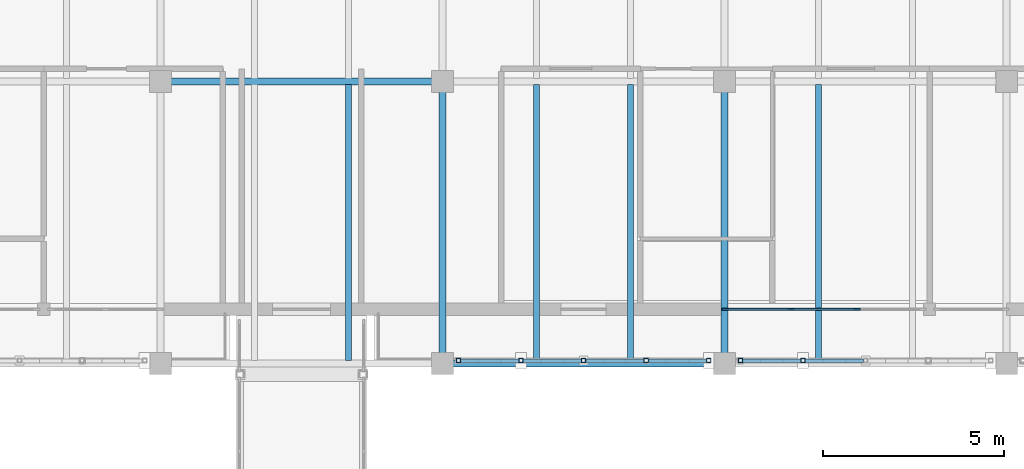
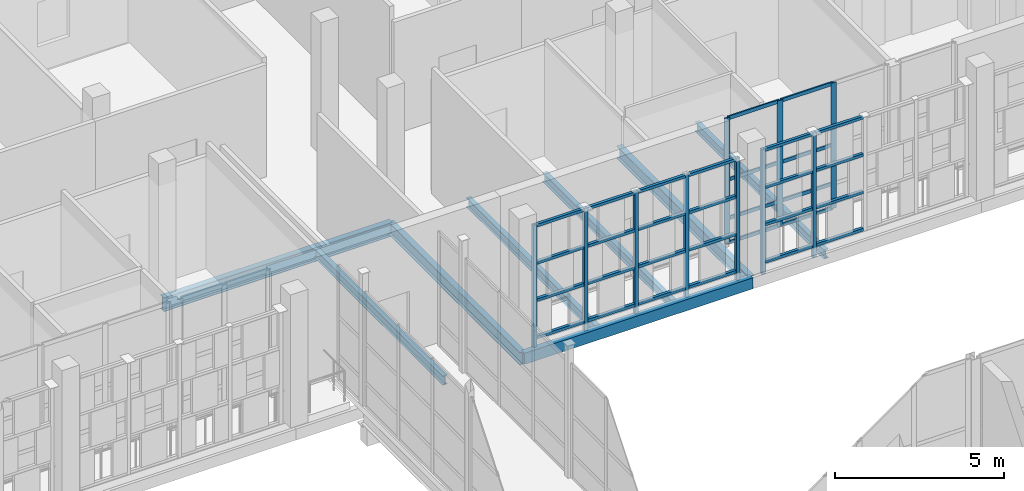
# One storey, part 73 of 138: 42 members, 8 beams, 1 element without a shape of its own.
"""IFC4 building model written with IfcOpenShell, lengths in metres."""

from ifc_helpers import new_model, si_unit, direction, frame, origin, origin_2d, place, context, subcontext, project, spatial, rectangle, hollow_rectangle, i_section, extrude, material, layer, layer_set, material_profile, profile_set, type_object, element, aggregate, save


model = new_model("IFC4")

# Units and contexts
model_context = context("Model", 3, precision=1e-05, world=origin(), true_north=direction((0.0, 1.0)))
body_context = subcontext(model_context, "Body", "Model", "MODEL_VIEW")
ifc_project = project(units=[si_unit("LENGTHUNIT", "METRE"), si_unit("AREAUNIT", "SQUARE_METRE"), si_unit("VOLUMEUNIT", "CUBIC_METRE"), si_unit("PLANEANGLEUNIT", "RADIAN"), si_unit("MASSUNIT", "GRAM", prefix="KILO")], contexts=[model_context])

# Site, building, storey
site_placement = place(None, origin())
site = spatial("IfcSite", under=ifc_project, at=site_placement, CompositionType="ELEMENT")
building_placement = place(site_placement, origin())
building = spatial("IfcBuilding", under=site, at=building_placement, Name="Celorna Specialist Clinic", CompositionType="ELEMENT")
storey_placement = place(building_placement, frame((0.0, 0.0, 4.800048828125)))
storey = spatial("IfcBuildingStorey", under=building, at=storey_placement, Name="L01", CompositionType="ELEMENT", Elevation=4.800048828125)

# Beams
ifc_material_1 = material(Name="Steel S355", Category="steel")
ifc_material_profile_1 = material_profile(ifc_material_1, i_section(OverallWidth=0.199951171875, OverallDepth=0.5, WebThickness=0.01025390625, FlangeThickness=0.01611328125, at=origin_2d()), Name="IPE 500")
ifc_profile_set_1 = profile_set([ifc_material_profile_1], Name="Steel S355")
beam_type_1 = type_object("IfcBeamType", Name="BM-08", PredefinedType="BEAM", material=ifc_profile_set_1)
beam_1_placement = place(storey_placement, frame((140.39990234375, 104.300048828125, -0.510009765625), z_axis=(1.0, 0.0, 0.0), x_axis=(0.0, 1.0, 0.0)))
element("IfcBeam", 1, at=beam_1_placement, inside=storey, type_object=beam_type_1, Name="Primary girder BM-08 #897", PredefinedType="BEAM", context=body_context, shape_type="SweptSolid", body=[
    extrude(i_section(OverallWidth=0.199951171875, OverallDepth=0.5, WebThickness=0.01025390625, FlangeThickness=0.01611328125, at=origin_2d()), origin(), (0.0, 0.0, 1.0), 7.800048828125),
])
ifc_material_profile_2 = material_profile(ifc_material_1, i_section(OverallWidth=0.18994140625, OverallDepth=0.449951171875, WebThickness=0.009521484375, FlangeThickness=0.0146484375, at=origin_2d()), Name="IPE 450")
ifc_profile_set_2 = profile_set([ifc_material_profile_2], Name="Steel S355")
beam_type_2 = type_object("IfcBeamType", Name="BM-09", PredefinedType="BEAM", material=ifc_profile_set_2)
for number, where, z_axis, x_axis, name in (
    (2, (148.199951171875, 96.5, -0.485107421875), (0.0, 1.0, 0.0), (-1.0, 0.0, 0.0), "Transverse girder BM-09 #971"),
    (3, (156.0, 96.5, -0.485107421875), (0.0, 1.0, 0.0), (-1.0, 0.0, 0.0), "Transverse girder BM-09 #974"),
):
    element("IfcBeam", number, at=place(storey_placement, frame(where, z_axis=z_axis, x_axis=x_axis)), inside=storey, type_object=beam_type_2, Name=name, PredefinedType="BEAM", context=body_context, shape_type="SweptSolid", body=[
        extrude(i_section(OverallWidth=0.18994140625, OverallDepth=0.449951171875, WebThickness=0.009521484375, FlangeThickness=0.0146484375, at=origin_2d()), origin(), (0.0, 0.0, 1.0), 7.800048828125),
    ])
ifc_material_profile_3 = material_profile(ifc_material_1, i_section(OverallWidth=0.159912109375, OverallDepth=0.330078125, WebThickness=0.007568359375, FlangeThickness=0.011474609375, at=origin_2d()), Name="IPE 330")
ifc_profile_set_3 = profile_set([ifc_material_profile_3], Name="Steel S355")
beam_type_3 = type_object("IfcBeamType", Name="BM-12", PredefinedType="JOIST", material=ifc_profile_set_3)
for number, where, z_axis, x_axis, name in (
    (4, (145.60009765625, 96.587890625, -0.425048828125), (0.0, 1.0, 0.0), (-1.0, 0.0, 0.0), "Secondary floor joist BM-12 #1046"),
    (5, (150.800048828125, 96.587890625, -0.425048828125), (0.0, 1.0, 0.0), (-1.0, 0.0, 0.0), "Secondary floor joist BM-12 #1051"),
    (6, (153.39990234375, 96.587890625, -0.425048828125), (0.0, 1.0, 0.0), (-1.0, 0.0, 0.0), "Secondary floor joist BM-12 #1052"),
    (7, (158.60009765625, 96.587890625, -0.425048828125), (0.0, 1.0, 0.0), (-1.0, 0.0, 0.0), "Secondary floor joist BM-12 #1057"),
):
    element("IfcBeam", number, at=place(storey_placement, frame(where, z_axis=z_axis, x_axis=x_axis)), inside=storey, type_object=beam_type_3, Name=name, PredefinedType="JOIST", context=body_context, shape_type="SweptSolid", body=[
        extrude(i_section(OverallWidth=0.159912109375, OverallDepth=0.330078125, WebThickness=0.007568359375, FlangeThickness=0.011474609375, at=origin_2d()), origin(), (0.0, 0.0, 1.0), 7.6240234375),
    ])
ifc_material_profile_4 = material_profile(ifc_material_1, hollow_rectangle(XDim=0.199951171875, YDim=0.39990234375, WallThickness=0.011962890625, at=origin_2d()), Name="RHS 200x400x12")
ifc_profile_set_4 = profile_set([ifc_material_profile_4], Name="Steel S355")
beam_type_4 = type_object("IfcBeamType", Name="BM-15", PredefinedType="SPANDREL", material=ifc_profile_set_4)
beam_2_placement = place(storey_placement, frame((148.199951171875, 96.5, -0.4599609375), z_axis=(1.0, 0.0, 0.0), x_axis=(0.0, 1.0, 0.0)))
element("IfcBeam", 8, at=beam_2_placement, inside=storey, type_object=beam_type_4, Name="Spandrel beam BM-15 #882", PredefinedType="SPANDREL", context=body_context, shape_type="SweptSolid", body=[
    extrude(hollow_rectangle(XDim=0.199951171875, YDim=0.39990234375, WallThickness=0.011962890625, at=origin_2d()), origin(), (0.0, 0.0, 1.0), 7.800048828125),
])

# Members
ifc_material_profile_5 = material_profile(ifc_material_1, hollow_rectangle(XDim=0.1201171875, YDim=0.1201171875, WallThickness=0.008056640625, at=origin_2d()), Name="SHS 120x120x8")
ifc_profile_set_5 = profile_set([ifc_material_profile_5], Name="Steel S355")
member_type_1 = type_object("IfcMemberType", Name="MB-11", PredefinedType="STUD", material=ifc_profile_set_5)
for number, where, z_axis, x_axis, name in (
    (9, (148.639892578125, 96.580078125, -0.360107421875), (0.0, 0.0, 1.0), (1.0, 0.0, 0.0), "Perforated screen steel post #942"),
    (10, (150.3701171875, 96.580078125, -0.360107421875), (0.0, 0.0, 1.0), (1.0, 0.0, 0.0), "Perforated screen steel post #943"),
    (11, (152.10009765625, 96.580078125, -0.360107421875), (0.0, 0.0, 1.0), (1.0, 0.0, 0.0), "Perforated screen steel post #944"),
    (12, (153.830078125, 96.580078125, -0.360107421875), (0.0, 0.0, 1.0), (1.0, 0.0, 0.0), "Perforated screen steel post #945"),
    (13, (155.56005859375, 96.580078125, -0.360107421875), (0.0, 0.0, 1.0), (1.0, 0.0, 0.0), "Perforated screen steel post #946"),
    (14, (156.43994140625, 96.580078125, -0.360107421875), (0.0, 0.0, 1.0), (1.0, 0.0, 0.0), "Perforated screen steel post #963"),
    (15, (158.169921875, 96.580078125, -0.360107421875), (0.0, 0.0, 1.0), (1.0, 0.0, 0.0), "Perforated screen steel post #964"),
):
    element("IfcMember", number, at=place(storey_placement, frame(where, z_axis=z_axis, x_axis=x_axis)), inside=storey, type_object=member_type_1, Name=name, PredefinedType="STUD", context=body_context, shape_type="SweptSolid", body=[
        extrude(hollow_rectangle(XDim=0.1201171875, YDim=0.1201171875, WallThickness=0.008056640625, at=origin_2d()), origin(), (0.0, 0.0, 1.0), 4.5),
    ])
ifc_material_profile_6 = material_profile(ifc_material_1, hollow_rectangle(XDim=0.10009765625, YDim=0.10009765625, WallThickness=0.006103515625, at=origin_2d()), Name="SHS 100x100x6")
ifc_profile_set_6 = profile_set([ifc_material_profile_6], Name="Steel S355")
member_type_2 = type_object("IfcMemberType", Name="MB-12", PredefinedType="STUD", material=ifc_profile_set_6)
for number, where, z_axis, x_axis, name in (
    (16, (148.699951171875, 96.580078125, 0.050048828125), (1.0, 0.0, 0.0), (0.0, 1.0, 0.0), "Perforated screen rail #947"),
    (17, (148.699951171875, 96.580078125, 1.396728515625), (1.0, 0.0, 0.0), (0.0, 1.0, 0.0), "Perforated screen rail #948"),
    (18, (148.699951171875, 96.580078125, 2.7431640625), (1.0, 0.0, 0.0), (0.0, 1.0, 0.0), "Perforated screen rail #949"),
    (19, (148.699951171875, 96.580078125, 4.08984375), (1.0, 0.0, 0.0), (0.0, 1.0, 0.0), "Perforated screen rail #950"),
    (20, (150.429931640625, 96.580078125, 0.050048828125), (1.0, 0.0, 0.0), (0.0, 1.0, 0.0), "Perforated screen rail #951"),
    (21, (150.429931640625, 96.580078125, 1.396728515625), (1.0, 0.0, 0.0), (0.0, 1.0, 0.0), "Perforated screen rail #952"),
    (22, (150.429931640625, 96.580078125, 2.7431640625), (1.0, 0.0, 0.0), (0.0, 1.0, 0.0), "Perforated screen rail #953"),
    (23, (150.429931640625, 96.580078125, 4.08984375), (1.0, 0.0, 0.0), (0.0, 1.0, 0.0), "Perforated screen rail #954"),
    (24, (152.159912109375, 96.580078125, 0.050048828125), (1.0, 0.0, 0.0), (0.0, 1.0, 0.0), "Perforated screen rail #955"),
    (25, (152.159912109375, 96.580078125, 1.396728515625), (1.0, 0.0, 0.0), (0.0, 1.0, 0.0), "Perforated screen rail #956"),
    (26, (152.159912109375, 96.580078125, 2.7431640625), (1.0, 0.0, 0.0), (0.0, 1.0, 0.0), "Perforated screen rail #957"),
    (27, (152.159912109375, 96.580078125, 4.08984375), (1.0, 0.0, 0.0), (0.0, 1.0, 0.0), "Perforated screen rail #958"),
    (28, (153.889892578125, 96.580078125, 0.050048828125), (1.0, 0.0, 0.0), (0.0, 1.0, 0.0), "Perforated screen rail #959"),
    (29, (153.889892578125, 96.580078125, 1.396728515625), (1.0, 0.0, 0.0), (0.0, 1.0, 0.0), "Perforated screen rail #960"),
    (30, (153.889892578125, 96.580078125, 2.7431640625), (1.0, 0.0, 0.0), (0.0, 1.0, 0.0), "Perforated screen rail #961"),
    (31, (153.889892578125, 96.580078125, 4.08984375), (1.0, 0.0, 0.0), (0.0, 1.0, 0.0), "Perforated screen rail #962"),
    (32, (156.5, 96.580078125, 0.050048828125), (1.0, 0.0, 0.0), (0.0, 1.0, 0.0), "Perforated screen rail #968"),
    (33, (156.5, 96.580078125, 1.396728515625), (1.0, 0.0, 0.0), (0.0, 1.0, 0.0), "Perforated screen rail #969"),
    (34, (156.5, 96.580078125, 2.7431640625), (1.0, 0.0, 0.0), (0.0, 1.0, 0.0), "Perforated screen rail #970"),
    (35, (156.5, 96.580078125, 4.08984375), (1.0, 0.0, 0.0), (0.0, 1.0, 0.0), "Perforated screen rail #971"),
    (36, (158.22998046875, 96.580078125, 0.050048828125), (1.0, 0.0, 0.0), (0.0, 1.0, 0.0), "Perforated screen rail #972"),
    (37, (158.22998046875, 96.580078125, 1.396728515625), (1.0, 0.0, 0.0), (0.0, 1.0, 0.0), "Perforated screen rail #973"),
    (38, (158.22998046875, 96.580078125, 2.7431640625), (1.0, 0.0, 0.0), (0.0, 1.0, 0.0), "Perforated screen rail #974"),
    (39, (158.22998046875, 96.580078125, 4.08984375), (1.0, 0.0, 0.0), (0.0, 1.0, 0.0), "Perforated screen rail #975"),
):
    element("IfcMember", number, at=place(storey_placement, frame(where, z_axis=z_axis, x_axis=x_axis)), inside=storey, type_object=member_type_2, Name=name, PredefinedType="STUD", context=body_context, shape_type="SweptSolid", body=[
        extrude(hollow_rectangle(XDim=0.10009765625, YDim=0.10009765625, WallThickness=0.006103515625, at=origin_2d()), origin(), (0.0, 0.0, 1.0), 1.610107421875),
    ])

# Curtain wall, members
ifc_material_2 = material(Name="Thermally broken aluminium and solar-control glass curtain wall", Category="aluminium")
ifc_layer = layer(ifc_material_2, 0.159912109375, Name="Thermally broken aluminium and solar-control glass curtain wall")
ifc_layer_set = layer_set([ifc_layer], Name="Thermally broken aluminium and solar-control glass curtain wall")
curtain_wall_type = type_object("IfcCurtainWallType", Name="CW-66", PredefinedType="NOTDEFINED", material=ifc_layer_set)
curtain_wall_placement = place(storey_placement, origin())
curtain_wall = element("IfcCurtainWall", 40, at=curtain_wall_placement, inside=storey, type_object=curtain_wall_type, Name="Curtain wall CW-66 #120", PredefinedType="NOTDEFINED")
ifc_material_3 = material(Name="Anodized aluminium mullion", Category="aluminium")
ifc_material_profile_7 = material_profile(ifc_material_3, rectangle(XDim=0.050048828125, YDim=0.179931640625, at=origin_2d()), Name="ALU MULLION 50x180")
ifc_profile_set_7 = profile_set([ifc_material_profile_7], Name="Anodized aluminium mullion")
member_type_3 = type_object("IfcMemberType", Name="ML-02", PredefinedType="MULLION", material=ifc_profile_set_7)
member_1_placement = place(storey_placement, frame((159.665283203125, 98.0, 0.0), z_axis=(0.0, 0.0, 1.0), x_axis=(0.0, -1.0, 0.0)))
member_1 = element("IfcMember", 41, at=member_1_placement, type_object=member_type_3, Name="CW-66 mullion 2", PredefinedType="MULLION", context=body_context, shape_type="SweptSolid", body=[
    extrude(rectangle(XDim=0.050048828125, YDim=0.179931640625, at=origin_2d()), origin(), (0.0, 0.0, 1.0), 4.5400390625),
])
member_2_placement = place(storey_placement, frame((157.834716796875, 98.0, 0.0), z_axis=(0.0, 0.0, 1.0), x_axis=(0.0, -1.0, 0.0)))
member_2 = element("IfcMember", 42, at=member_2_placement, type_object=member_type_3, Name="CW-66 mullion 3", PredefinedType="MULLION", context=body_context, shape_type="SweptSolid", body=[
    extrude(rectangle(XDim=0.050048828125, YDim=0.179931640625, at=origin_2d()), origin(), (0.0, 0.0, 1.0), 4.5400390625),
])
member_3_placement = place(storey_placement, frame((156.029052734375, 98.0, 0.0), z_axis=(0.0, 0.0, 1.0), x_axis=(0.0, -1.0, 0.0)))
member_3 = element("IfcMember", 43, at=member_3_placement, type_object=member_type_3, Name="CW-66 mullion 4", PredefinedType="MULLION", context=body_context, shape_type="SweptSolid", body=[
    extrude(rectangle(XDim=0.050048828125, YDim=0.179931640625, at=origin_2d()), origin(), (0.0, 0.0, 1.0), 4.5400390625),
])
ifc_material_4 = material(Name="Anodized aluminium transom", Category="aluminium")
ifc_material_profile_8 = material_profile(ifc_material_4, rectangle(XDim=0.050048828125, YDim=0.1298828125, at=origin_2d()), Name="ALU TRANSOM 50x130")
ifc_profile_set_8 = profile_set([ifc_material_profile_8], Name="Anodized aluminium transom")
member_type_4 = type_object("IfcMemberType", Name="TR-01", PredefinedType="USERDEFINED", material=ifc_profile_set_8)
member_4_placement = place(storey_placement, frame((159.640380859375, 98.0, 0.02490234375), z_axis=(-1.0, 0.0, 0.0), x_axis=(0.0, -1.0, 0.0)))
member_4 = element("IfcMember", 44, at=member_4_placement, type_object=member_type_4, Name="CW-66 transom 2.1", ObjectType="TRANSOM", PredefinedType="USERDEFINED", context=body_context, shape_type="SweptSolid", body=[
    extrude(rectangle(XDim=0.050048828125, YDim=0.1298828125, at=origin_2d()), origin(), (0.0, 0.0, 1.0), 1.78076171875),
])
member_5_placement = place(storey_placement, frame((159.640380859375, 98.0, 0.89990234375), z_axis=(-1.0, 0.0, 0.0), x_axis=(0.0, -1.0, 0.0)))
member_5 = element("IfcMember", 45, at=member_5_placement, type_object=member_type_4, Name="CW-66 transom 2.2", ObjectType="TRANSOM", PredefinedType="USERDEFINED", context=body_context, shape_type="SweptSolid", body=[
    extrude(rectangle(XDim=0.050048828125, YDim=0.1298828125, at=origin_2d()), origin(), (0.0, 0.0, 1.0), 1.78076171875),
])
member_6_placement = place(storey_placement, frame((159.640380859375, 98.0, 2.300048828125), z_axis=(-1.0, 0.0, 0.0), x_axis=(0.0, -1.0, 0.0)))
member_6 = element("IfcMember", 46, at=member_6_placement, type_object=member_type_4, Name="CW-66 transom 2.3", ObjectType="TRANSOM", PredefinedType="USERDEFINED", context=body_context, shape_type="SweptSolid", body=[
    extrude(rectangle(XDim=0.050048828125, YDim=0.1298828125, at=origin_2d()), origin(), (0.0, 0.0, 1.0), 1.78076171875),
])
member_7_placement = place(storey_placement, frame((159.640380859375, 98.0, 4.514892578125), z_axis=(-1.0, 0.0, 0.0), x_axis=(0.0, -1.0, 0.0)))
member_7 = element("IfcMember", 47, at=member_7_placement, type_object=member_type_4, Name="CW-66 transom 2.4", ObjectType="TRANSOM", PredefinedType="USERDEFINED", context=body_context, shape_type="SweptSolid", body=[
    extrude(rectangle(XDim=0.050048828125, YDim=0.1298828125, at=origin_2d()), origin(), (0.0, 0.0, 1.0), 1.78076171875),
])
member_8_placement = place(storey_placement, frame((157.8095703125, 98.0, 0.02490234375), z_axis=(-1.0, 0.0, 0.0), x_axis=(0.0, -1.0, 0.0)))
member_8 = element("IfcMember", 48, at=member_8_placement, type_object=member_type_4, Name="CW-66 transom 3.1", ObjectType="TRANSOM", PredefinedType="USERDEFINED", context=body_context, shape_type="SweptSolid", body=[
    extrude(rectangle(XDim=0.050048828125, YDim=0.1298828125, at=origin_2d()), origin(), (0.0, 0.0, 1.0), 1.755615234375),
])
member_9_placement = place(storey_placement, frame((157.8095703125, 98.0, 0.89990234375), z_axis=(-1.0, 0.0, 0.0), x_axis=(0.0, -1.0, 0.0)))
member_9 = element("IfcMember", 49, at=member_9_placement, type_object=member_type_4, Name="CW-66 transom 3.2", ObjectType="TRANSOM", PredefinedType="USERDEFINED", context=body_context, shape_type="SweptSolid", body=[
    extrude(rectangle(XDim=0.050048828125, YDim=0.1298828125, at=origin_2d()), origin(), (0.0, 0.0, 1.0), 1.755615234375),
])
member_10_placement = place(storey_placement, frame((157.8095703125, 98.0, 2.300048828125), z_axis=(-1.0, 0.0, 0.0), x_axis=(0.0, -1.0, 0.0)))
member_10 = element("IfcMember", 50, at=member_10_placement, type_object=member_type_4, Name="CW-66 transom 3.3", ObjectType="TRANSOM", PredefinedType="USERDEFINED", context=body_context, shape_type="SweptSolid", body=[
    extrude(rectangle(XDim=0.050048828125, YDim=0.1298828125, at=origin_2d()), origin(), (0.0, 0.0, 1.0), 1.755615234375),
])
member_11_placement = place(storey_placement, frame((157.8095703125, 98.0, 4.514892578125), z_axis=(-1.0, 0.0, 0.0), x_axis=(0.0, -1.0, 0.0)))
member_11 = element("IfcMember", 51, at=member_11_placement, type_object=member_type_4, Name="CW-66 transom 3.4", ObjectType="TRANSOM", PredefinedType="USERDEFINED", context=body_context, shape_type="SweptSolid", body=[
    extrude(rectangle(XDim=0.050048828125, YDim=0.1298828125, at=origin_2d()), origin(), (0.0, 0.0, 1.0), 1.755615234375),
])
aggregate(curtain_wall, [member_1, member_2, member_3, member_4, member_5, member_6, member_7, member_8, member_9, member_10, member_11])

save(model, "model.ifc")
